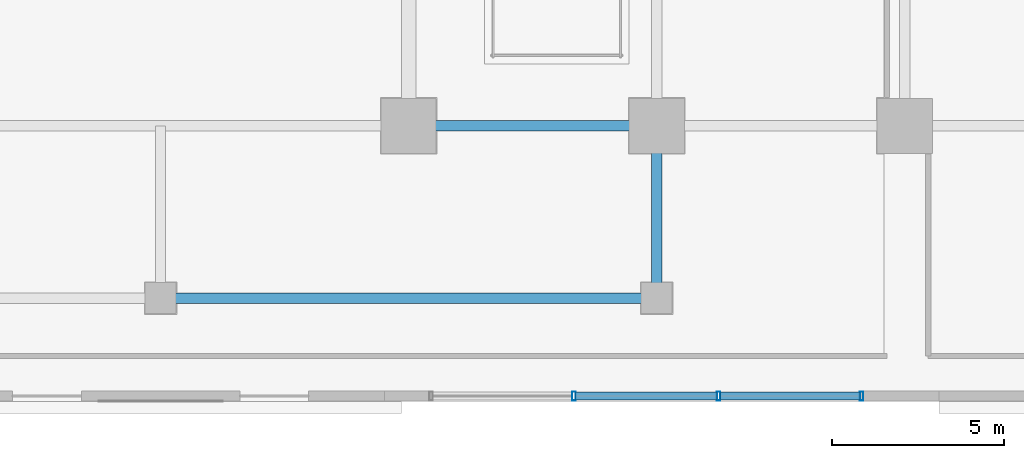
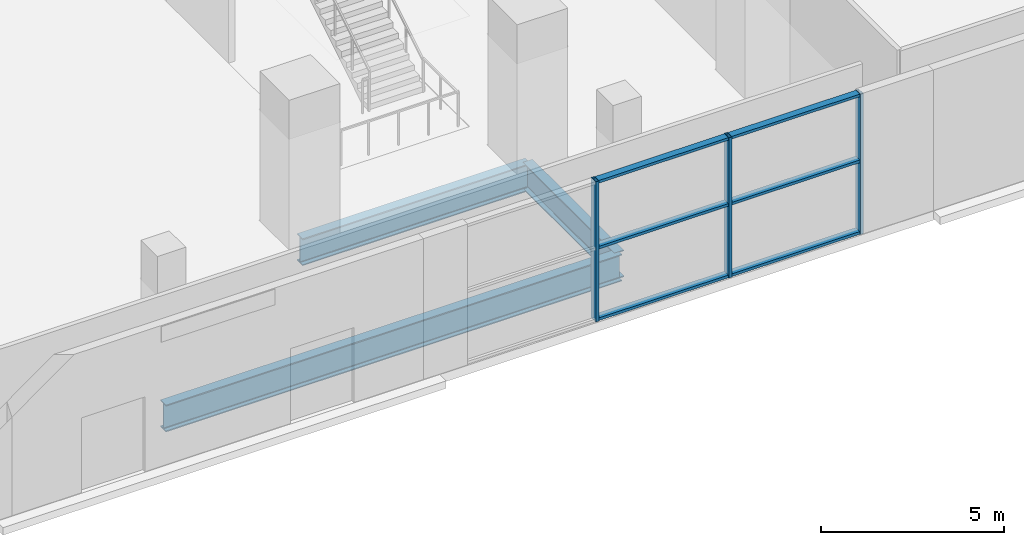
# One storey, part 6 of 27: 9 members, 3 beams, 1 element without a shape of its own.
"""IFC4 building model written with IfcOpenShell, lengths in metres."""

from ifc_helpers import new_model, si_unit, direction, frame, origin, origin_2d, place, context, subcontext, project, spatial, hollow_rectangle, i_section, extrude, source, transform, mapped, material, layer, layer_set, material_profile, profile_set, type_object, element, aggregate, save


model = new_model("IFC4")

# Units and contexts
model_context = context("Model", 3, precision=1e-05, world=origin(), true_north=direction((0.0, 1.0)))
body_context = subcontext(model_context, "Body", "Model", "MODEL_VIEW")
ifc_project = project(units=[si_unit("LENGTHUNIT", "METRE"), si_unit("AREAUNIT", "SQUARE_METRE"), si_unit("VOLUMEUNIT", "CUBIC_METRE"), si_unit("PLANEANGLEUNIT", "RADIAN"), si_unit("MASSUNIT", "GRAM", prefix="KILO")], contexts=[model_context])

# Site, building, storey
site_placement = place(None, origin())
site = spatial("IfcSite", under=ifc_project, at=site_placement, CompositionType="ELEMENT")
building_placement = place(site_placement, origin())
building = spatial("IfcBuilding", under=site, at=building_placement, Name="Zarnakvel Exchange Tower", CompositionType="ELEMENT")
storey_placement = place(building_placement, origin())
storey = spatial("IfcBuildingStorey", under=building, at=storey_placement, Name="L00", CompositionType="ELEMENT", Elevation=0.0)

# Beams
ifc_material_1 = material(Name="Steel S355", Category="steel")
ifc_material_profile_1 = material_profile(ifc_material_1, i_section(OverallWidth=0.300048828125, OverallDepth=0.89990234375, WebThickness=0.0185546875, FlangeThickness=0.034912109375, FilletRadius=0.030029296875, at=origin_2d()))
ifc_profile_set_1 = profile_set([ifc_material_profile_1], Name="Steel S355")
beam_type = type_object("IfcBeamType", Name="G-01", PredefinedType="BEAM", material=ifc_profile_set_1)
beam_1_placement = place(storey_placement, frame((7.199951171875, -18.199951171875, -0.75), z_axis=(1.0, 0.0, 0.0), x_axis=(0.0, 1.0, 0.0)))
element("IfcBeam", 1, at=beam_1_placement, inside=storey, type_object=beam_type, Name="L00 Primary E-W Girder Y=-18.2", PredefinedType="BEAM", context=body_context, shape_type="SweptSolid", body=[
    extrude(i_section(OverallWidth=0.300048828125, OverallDepth=0.89990234375, WebThickness=0.0185546875, FlangeThickness=0.034912109375, FilletRadius=0.030029296875, at=origin_2d()), origin(), (0.0, 0.0, 1.0), 7.199951171875),
])
beam_2_placement = place(storey_placement, frame((0.0, -23.199951171875, -0.75), z_axis=(1.0, 0.0, 0.0), x_axis=(0.0, 1.0, 0.0)))
element("IfcBeam", 2, at=beam_2_placement, inside=storey, type_object=beam_type, Name="L00 Primary E-W Girder Y=-23.2", PredefinedType="BEAM", context=body_context, shape_type="SweptSolid", body=[
    extrude(i_section(OverallWidth=0.300048828125, OverallDepth=0.89990234375, WebThickness=0.0185546875, FlangeThickness=0.034912109375, FilletRadius=0.030029296875, at=origin_2d()), origin(), (0.0, 0.0, 1.0), 14.39990234375),
])
beam_3_placement = place(storey_placement, frame((14.39990234375, -23.199951171875, -0.75), z_axis=(0.0, 1.0, 0.0), x_axis=(-1.0, 0.0, 0.0)))
element("IfcBeam", 3, at=beam_3_placement, inside=storey, type_object=beam_type, Name="L00 Primary N-S Girder X=+14.4", PredefinedType="BEAM", context=body_context, shape_type="SweptSolid", body=[
    extrude(i_section(OverallWidth=0.300048828125, OverallDepth=0.89990234375, WebThickness=0.0185546875, FlangeThickness=0.034912109375, FilletRadius=0.030029296875, at=origin_2d()), origin(), (0.0, 0.0, 1.0), 5.0),
])

# Curtain wall, members
ifc_material_2 = material(Name="Architectural Bronze Anodised Aluminium", Category="aluminium")
ifc_layer = layer(ifc_material_2, 0.260009765625)
ifc_layer_set = layer_set([ifc_layer], Name="Architectural Bronze Anodised Aluminium")
curtain_wall_type = type_object("IfcCurtainWallType", Name="CW-01", PredefinedType="NOTDEFINED", material=ifc_layer_set)
curtain_wall_placement = place(storey_placement, origin())
curtain_wall = element("IfcCurtainWall", 4, at=curtain_wall_placement, inside=storey, type_object=curtain_wall_type, Name="L00 Curtain Wall CW-L00-S2 (CW-01)", PredefinedType="NOTDEFINED")
ifc_material_profile_2 = material_profile(ifc_material_2, hollow_rectangle(XDim=0.260009765625, YDim=0.10009765625, WallThickness=0.006103515625, at=origin_2d()))
ifc_profile_set_2 = profile_set([ifc_material_profile_2], Name="Architectural Bronze Anodised Aluminium")
member_type_1 = type_object("IfcMemberType", Name="CWM-01", PredefinedType="MULLION", material=ifc_profile_set_2)
shared_shape_1 = source(origin(), body_context, "Body", "SweptSolid", [
    extrude(hollow_rectangle(XDim=0.260009765625, YDim=0.10009765625, WallThickness=0.006103515625, at=origin_2d()), origin(), (0.0, 0.0, 1.0), 4.679931640625),
])
member_1_placement = place(storey_placement, frame((12.0, -26.0400390625, 0.0), z_axis=(0.0, 0.0, 1.0), x_axis=(0.0, 1.0, 0.0)))
member_1 = element("IfcMember", 5, at=member_1_placement, type_object=member_type_1, Name="CW-01 mullion 2", PredefinedType="MULLION", context=body_context, shape_type="MappedRepresentation", body=[
    mapped(shared_shape_1, transform((0.0, 0.0, 0.0), x_axis=(1.0, 0.0, 0.0), y_axis=(0.0, 1.0, 0.0), z_axis=(0.0, 0.0, 1.0), scale=1.0)),
])
member_2_placement = place(storey_placement, frame((16.199951171875, -26.0400390625, 0.0), z_axis=(0.0, 0.0, 1.0), x_axis=(0.0, 1.0, 0.0)))
member_2 = element("IfcMember", 6, at=member_2_placement, type_object=member_type_1, Name="CW-01 mullion 3", PredefinedType="MULLION", context=body_context, shape_type="MappedRepresentation", body=[
    mapped(shared_shape_1, transform((0.0, 0.0, 0.0), x_axis=(1.0, 0.0, 0.0), y_axis=(0.0, 1.0, 0.0), z_axis=(0.0, 0.0, 1.0), scale=1.0)),
])
member_3_placement = place(storey_placement, frame((20.35009765625, -26.0400390625, 0.0), z_axis=(0.0, 0.0, 1.0), x_axis=(0.0, 1.0, 0.0)))
member_3 = element("IfcMember", 7, at=member_3_placement, type_object=member_type_1, Name="CW-01 mullion 4", PredefinedType="MULLION", context=body_context, shape_type="MappedRepresentation", body=[
    mapped(shared_shape_1, transform((0.0, 0.0, 0.0), x_axis=(1.0, 0.0, 0.0), y_axis=(0.0, 1.0, 0.0), z_axis=(0.0, 0.0, 1.0), scale=1.0)),
])
ifc_material_profile_3 = material_profile(ifc_material_2, hollow_rectangle(XDim=0.219970703125, YDim=0.090087890625, WallThickness=0.0048828125, at=origin_2d()))
ifc_profile_set_3 = profile_set([ifc_material_profile_3], Name="Architectural Bronze Anodised Aluminium")
member_type_2 = type_object("IfcMemberType", Name="CWT-01", PredefinedType="USERDEFINED", material=ifc_profile_set_3)
shared_shape_2 = source(origin(), body_context, "Body", "SweptSolid", [
    extrude(hollow_rectangle(XDim=0.219970703125, YDim=0.090087890625, WallThickness=0.0048828125, at=origin_2d()), origin(), (0.0, 0.0, 1.0), 4.050048828125),
])
member_4_placement = place(storey_placement, frame((16.25, -26.0400390625, 0.044921875), z_axis=(1.0, 0.0, 0.0), x_axis=(0.0, 1.0, 0.0)))
member_4 = element("IfcMember", 8, at=member_4_placement, type_object=member_type_2, Name="CW-01 transom 3.1", ObjectType="TRANSOM", PredefinedType="USERDEFINED", context=body_context, shape_type="MappedRepresentation", body=[
    mapped(shared_shape_2, transform((0.0, 0.0, 0.0), x_axis=(1.0, 0.0, 0.0), y_axis=(0.0, 1.0, 0.0), z_axis=(0.0, 0.0, 1.0), scale=1.0)),
])
member_5_placement = place(storey_placement, frame((16.25, -26.0400390625, 2.43359375), z_axis=(1.0, 0.0, 0.0), x_axis=(0.0, 1.0, 0.0)))
member_5 = element("IfcMember", 9, at=member_5_placement, type_object=member_type_2, Name="CW-01 transom 3.2", ObjectType="TRANSOM", PredefinedType="USERDEFINED", context=body_context, shape_type="MappedRepresentation", body=[
    mapped(shared_shape_2, transform((0.0, 0.0, 0.0), x_axis=(1.0, 0.0, 0.0), y_axis=(0.0, 1.0, 0.0), z_axis=(0.0, 0.0, 1.0), scale=1.0)),
])
member_6_placement = place(storey_placement, frame((16.25, -26.0400390625, 4.635009765625), z_axis=(1.0, 0.0, 0.0), x_axis=(0.0, 1.0, 0.0)))
member_6 = element("IfcMember", 10, at=member_6_placement, type_object=member_type_2, Name="CW-01 transom 3.3", ObjectType="TRANSOM", PredefinedType="USERDEFINED", context=body_context, shape_type="MappedRepresentation", body=[
    mapped(shared_shape_2, transform((0.0, 0.0, 0.0), x_axis=(1.0, 0.0, 0.0), y_axis=(0.0, 1.0, 0.0), z_axis=(0.0, 0.0, 1.0), scale=1.0)),
])
shared_shape_3 = source(origin(), body_context, "Body", "SweptSolid", [
    extrude(hollow_rectangle(XDim=0.219970703125, YDim=0.090087890625, WallThickness=0.0048828125, at=origin_2d()), origin(), (0.0, 0.0, 1.0), 4.099853515625),
])
member_7_placement = place(storey_placement, frame((12.050048828125, -26.0400390625, 0.044921875), z_axis=(1.0, 0.0, 0.0), x_axis=(0.0, 1.0, 0.0)))
member_7 = element("IfcMember", 11, at=member_7_placement, type_object=member_type_2, Name="CW-01 transom 2.1", ObjectType="TRANSOM", PredefinedType="USERDEFINED", context=body_context, shape_type="MappedRepresentation", body=[
    mapped(shared_shape_3, transform((0.0, 0.0, 0.0), x_axis=(1.0, 0.0, 0.0), y_axis=(0.0, 1.0, 0.0), z_axis=(0.0, 0.0, 1.0), scale=1.0)),
])
member_8_placement = place(storey_placement, frame((12.050048828125, -26.0400390625, 2.43359375), z_axis=(1.0, 0.0, 0.0), x_axis=(0.0, 1.0, 0.0)))
member_8 = element("IfcMember", 12, at=member_8_placement, type_object=member_type_2, Name="CW-01 transom 2.2", ObjectType="TRANSOM", PredefinedType="USERDEFINED", context=body_context, shape_type="MappedRepresentation", body=[
    mapped(shared_shape_3, transform((0.0, 0.0, 0.0), x_axis=(1.0, 0.0, 0.0), y_axis=(0.0, 1.0, 0.0), z_axis=(0.0, 0.0, 1.0), scale=1.0)),
])
member_9_placement = place(storey_placement, frame((12.050048828125, -26.0400390625, 4.635009765625), z_axis=(1.0, 0.0, 0.0), x_axis=(0.0, 1.0, 0.0)))
member_9 = element("IfcMember", 13, at=member_9_placement, type_object=member_type_2, Name="CW-01 transom 2.3", ObjectType="TRANSOM", PredefinedType="USERDEFINED", context=body_context, shape_type="MappedRepresentation", body=[
    mapped(shared_shape_3, transform((0.0, 0.0, 0.0), x_axis=(1.0, 0.0, 0.0), y_axis=(0.0, 1.0, 0.0), z_axis=(0.0, 0.0, 1.0), scale=1.0)),
])
aggregate(curtain_wall, [member_1, member_2, member_3, member_7, member_8, member_9, member_4, member_5, member_6])

save(model, "model.ifc")
